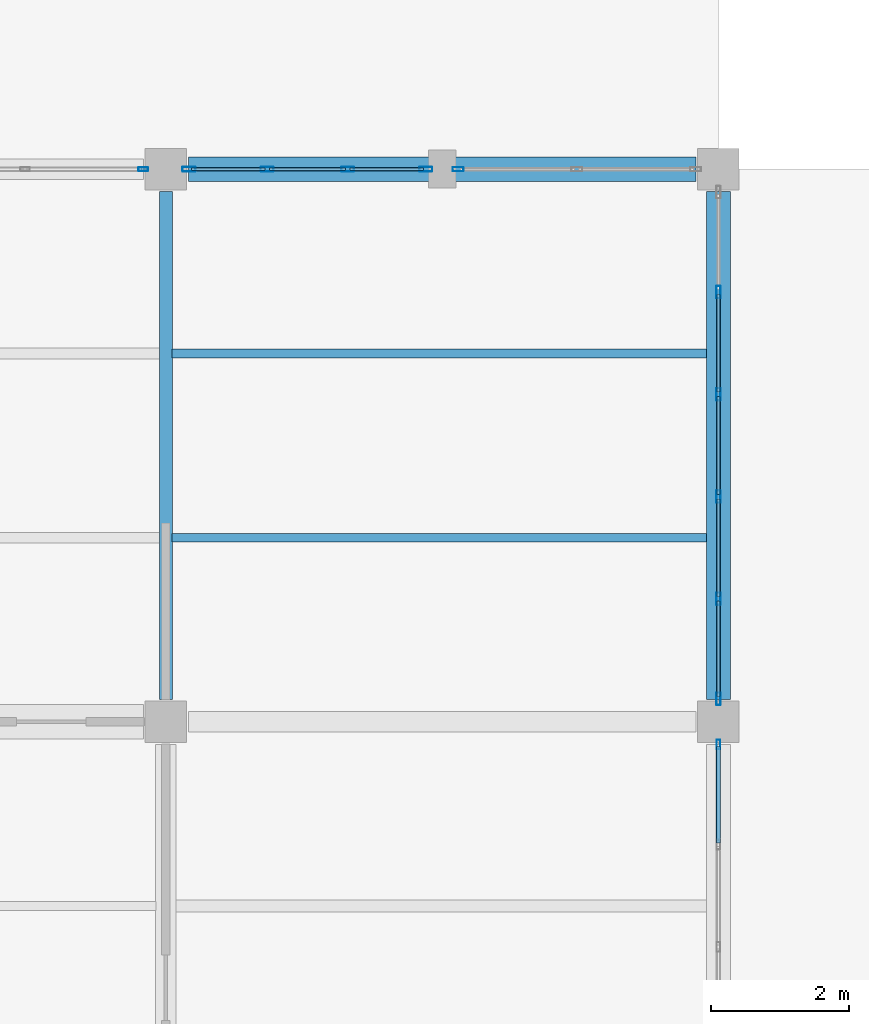
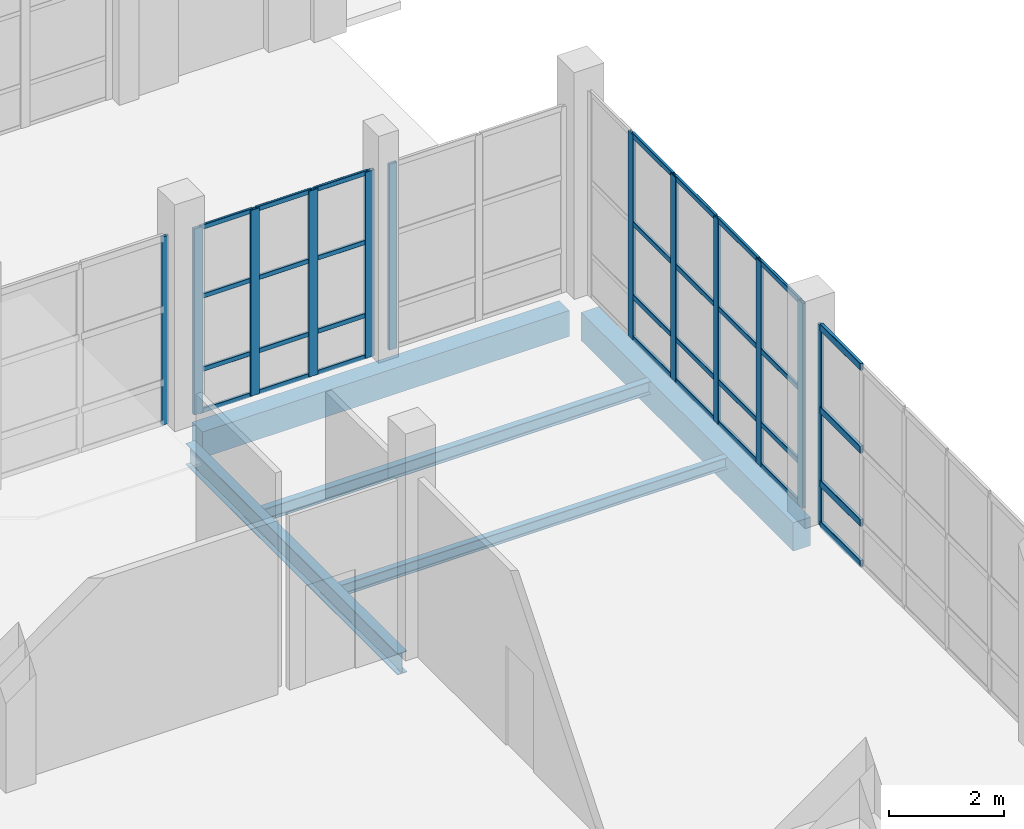
# One storey, part 71 of 156: 44 members, 5 beams, 5 elements without a shape of their own.
"""IFC4 building model written with IfcOpenShell, lengths in metres."""

from ifc_helpers import new_model, si_unit, direction, frame, origin, origin_2d, place, context, subcontext, project, spatial, rectangle, hollow_rectangle, i_section, extrude, material, material_profile, profile_set, type_object, element, aggregate, save


model = new_model("IFC4")

# Units and contexts
model_context = context("Model", 3, precision=1e-05, world=origin(), true_north=direction((0.0, 1.0)))
body_context = subcontext(model_context, "Body", "Model", "MODEL_VIEW")
ifc_project = project(units=[si_unit("LENGTHUNIT", "METRE"), si_unit("AREAUNIT", "SQUARE_METRE"), si_unit("VOLUMEUNIT", "CUBIC_METRE"), si_unit("PLANEANGLEUNIT", "RADIAN"), si_unit("MASSUNIT", "GRAM", prefix="KILO")], contexts=[model_context])

# Site, building, storey
site_placement = place(None, origin())
site = spatial("IfcSite", under=ifc_project, at=site_placement, CompositionType="ELEMENT")
building_placement = place(site_placement, origin())
building = spatial("IfcBuilding", under=site, at=building_placement, Name="Luwemba Playhouse", CompositionType="ELEMENT")
storey_placement = place(building_placement, origin())
storey = spatial("IfcBuildingStorey", under=building, at=storey_placement, Name="L00", CompositionType="ELEMENT", Elevation=0.0)

# Beams
ifc_material_1 = material(Name="Steel S355", Category="steel")
ifc_material_profile_1 = material_profile(ifc_material_1, i_section(OverallWidth=0.18994140625, OverallDepth=0.449951171875, WebThickness=0.009521484375, FlangeThickness=0.0146484375, FilletRadius=0.02099609375, at=origin_2d()))
ifc_profile_set_1 = profile_set([ifc_material_profile_1], Name="Steel S355")
beam_type_1 = type_object("IfcBeamType", Name="BM-SB06", PredefinedType="BEAM", material=ifc_profile_set_1)
beam_1_placement = place(storey_placement, frame((164.0, 19.324951171875, -0.52490234375), z_axis=(0.0, 1.0, 0.0), x_axis=(-1.0, 0.0, 0.0)))
element("IfcBeam", 1, at=beam_1_placement, inside=storey, type_object=beam_type_1, Name="L00 transverse girder 0250", PredefinedType="BEAM", context=body_context, shape_type="SweptSolid", body=[
    extrude(i_section(OverallWidth=0.18994140625, OverallDepth=0.449951171875, WebThickness=0.009521484375, FlangeThickness=0.0146484375, FilletRadius=0.02099609375, at=origin_2d()), origin(), (0.0, 0.0, 1.0), 7.35009765625),
])
ifc_material_profile_2 = material_profile(ifc_material_1, i_section(OverallWidth=0.1201171875, OverallDepth=0.239990234375, WebThickness=0.006103515625, FlangeThickness=0.009765625, FilletRadius=0.014892578125, at=origin_2d()))
ifc_profile_set_2 = profile_set([ifc_material_profile_2], Name="Steel S355")
beam_type_2 = type_object("IfcBeamType", Name="BM-SJ03", PredefinedType="JOIST", material=ifc_profile_set_2)
beam_2_placement = place(storey_placement, frame((164.091064453125, 21.666748046875, -0.419921875), z_axis=(1.0, 0.0, 0.0), x_axis=(0.0, 1.0, 0.0)))
element("IfcBeam", 2, at=beam_2_placement, inside=storey, type_object=beam_type_2, Name="L00 composite floor joist 0191", PredefinedType="JOIST", context=body_context, shape_type="SweptSolid", body=[
    extrude(i_section(OverallWidth=0.1201171875, OverallDepth=0.239990234375, WebThickness=0.006103515625, FlangeThickness=0.009765625, FilletRadius=0.014892578125, at=origin_2d()), origin(), (0.0, 0.0, 1.0), 7.738037109375),
])
ifc_material_profile_3 = material_profile(ifc_material_1, i_section(OverallWidth=0.135009765625, OverallDepth=0.27001953125, WebThickness=0.006591796875, FlangeThickness=0.01025390625, FilletRadius=0.014892578125, at=origin_2d()))
ifc_profile_set_3 = profile_set([ifc_material_profile_3], Name="Steel S355")
beam_type_3 = type_object("IfcBeamType", Name="BM-SJ04", PredefinedType="JOIST", material=ifc_profile_set_3)
beam_3_placement = place(storey_placement, frame((164.091064453125, 24.333251953125, -0.43505859375), z_axis=(1.0, 0.0, 0.0), x_axis=(0.0, 1.0, 0.0)))
element("IfcBeam", 3, at=beam_3_placement, inside=storey, type_object=beam_type_3, Name="L00 composite floor joist 0192", PredefinedType="JOIST", context=body_context, shape_type="SweptSolid", body=[
    extrude(i_section(OverallWidth=0.135009765625, OverallDepth=0.27001953125, WebThickness=0.006591796875, FlangeThickness=0.01025390625, FilletRadius=0.014892578125, at=origin_2d()), origin(), (0.0, 0.0, 1.0), 7.738037109375),
])
ifc_material_2 = material(Name="Concrete C40/50", Category="concrete")
ifc_material_profile_4 = material_profile(ifc_material_2, rectangle(XDim=0.35009765625, YDim=0.550048828125, at=origin_2d()))
ifc_profile_set_4 = profile_set([ifc_material_profile_4], Name="Concrete C40/50")
beam_type_4 = type_object("IfcBeamType", Name="BM-SP2", PredefinedType="SPANDREL", material=ifc_profile_set_4)
beam_4_placement = place(storey_placement, frame((164.324951171875, 27.0, -0.574951171875), z_axis=(1.0, 0.0, 0.0), x_axis=(0.0, 1.0, 0.0)))
element("IfcBeam", 4, at=beam_4_placement, inside=storey, type_object=beam_type_4, Name="L00 grid girder 0229", PredefinedType="SPANDREL", context=body_context, shape_type="SweptSolid", body=[
    extrude(rectangle(XDim=0.35009765625, YDim=0.550048828125, at=origin_2d()), origin(), (0.0, 0.0, 1.0), 7.35009765625),
])
ifc_material_profile_5 = material_profile(ifc_material_2, rectangle(XDim=0.35009765625, YDim=0.60009765625, at=origin_2d()))
ifc_profile_set_5 = profile_set([ifc_material_profile_5], Name="Concrete C40/50")
beam_type_5 = type_object("IfcBeamType", Name="BM-SP3", PredefinedType="SPANDREL", material=ifc_profile_set_5)
beam_5_placement = place(storey_placement, frame((172.0, 19.324951171875, -0.60009765625), z_axis=(0.0, 1.0, 0.0), x_axis=(-1.0, 0.0, 0.0)))
element("IfcBeam", 5, at=beam_5_placement, inside=storey, type_object=beam_type_5, Name="L00 transverse girder 0253", PredefinedType="SPANDREL", context=body_context, shape_type="SweptSolid", body=[
    extrude(rectangle(XDim=0.35009765625, YDim=0.60009765625, at=origin_2d()), origin(), (0.0, 0.0, 1.0), 7.35009765625),
])

# Curtain wall, member
ifc_material_3 = material(Name="Solar-control double glazing", Category="glass")
curtain_wall_type_1 = type_object("IfcCurtainWallType", Name="CW-CW57", PredefinedType="USERDEFINED", material=ifc_material_3)
curtain_wall_1_placement = place(storey_placement, origin())
curtain_wall_1 = element("IfcCurtainWall", 6, at=curtain_wall_1_placement, inside=storey, type_object=curtain_wall_type_1, Name="L00 V5E unitised curtain wall 067", ObjectType="UNITISED GLAZING", PredefinedType="USERDEFINED")
ifc_material_4 = material(Name="Aluminium 6063-T6", Category="aluminium")
ifc_material_profile_6 = material_profile(ifc_material_4, hollow_rectangle(XDim=0.06005859375, YDim=0.159912109375, WallThickness=0.00390625, InnerFilletRadius=0.006103515625, OuterFilletRadius=0.010009765625, at=origin_2d()))
ifc_profile_set_6 = profile_set([ifc_material_profile_6], Name="Aluminium 6063-T6")
member_type_1 = type_object("IfcMemberType", Name="CWM-M1", PredefinedType="MULLION", material=ifc_profile_set_6)
member_1_placement = place(storey_placement, frame((168.22998046875, 27.0, 0.0), z_axis=(0.0, 0.0, 1.0), x_axis=(0.0, 1.0, 0.0)))
member_1 = element("IfcMember", 7, at=member_1_placement, type_object=member_type_1, Name="CW57 mullion 1", PredefinedType="MULLION", context=body_context, shape_type="SweptSolid", body=[
    extrude(hollow_rectangle(XDim=0.06005859375, YDim=0.159912109375, WallThickness=0.00390625, InnerFilletRadius=0.006103515625, OuterFilletRadius=0.010009765625, at=origin_2d()), origin(), (0.0, 0.0, 1.0), 3.93505859375),
])
aggregate(curtain_wall_1, [member_1])

# Curtain wall, members
curtain_wall_type_2 = type_object("IfcCurtainWallType", Name="CW-CW58", PredefinedType="USERDEFINED", material=ifc_material_3)
curtain_wall_2_placement = place(storey_placement, origin())
curtain_wall_2 = element("IfcCurtainWall", 8, at=curtain_wall_2_placement, inside=storey, type_object=curtain_wall_type_2, Name="L00 V5E unitised curtain wall 068", ObjectType="UNITISED GLAZING", PredefinedType="USERDEFINED")
ifc_material_profile_7 = material_profile(ifc_material_4, hollow_rectangle(XDim=0.06494140625, YDim=0.179931640625, WallThickness=0.00439453125, InnerFilletRadius=0.0068359375, OuterFilletRadius=0.01123046875, at=origin_2d()))
ifc_profile_set_7 = profile_set([ifc_material_profile_7], Name="Aluminium 6063-T6")
member_type_2 = type_object("IfcMemberType", Name="CWM-M2", PredefinedType="MULLION", material=ifc_profile_set_7)
member_2_placement = place(storey_placement, frame((172.0, 25.219970703125, 0.0), z_axis=(0.0, 0.0, 1.0), x_axis=(1.0, 0.0, 0.0)))
member_2 = element("IfcMember", 9, at=member_2_placement, type_object=member_type_2, Name="CW58 mullion 2", PredefinedType="MULLION", context=body_context, shape_type="SweptSolid", body=[
    extrude(hollow_rectangle(XDim=0.06494140625, YDim=0.179931640625, WallThickness=0.00439453125, InnerFilletRadius=0.0068359375, OuterFilletRadius=0.01123046875, at=origin_2d()), origin(), (0.0, 0.0, 1.0), 4.3349609375),
])
member_3_placement = place(storey_placement, frame((172.0, 23.739990234375, 0.0), z_axis=(0.0, 0.0, 1.0), x_axis=(1.0, 0.0, 0.0)))
member_3 = element("IfcMember", 10, at=member_3_placement, type_object=member_type_2, Name="CW58 mullion 3", PredefinedType="MULLION", context=body_context, shape_type="SweptSolid", body=[
    extrude(hollow_rectangle(XDim=0.06494140625, YDim=0.179931640625, WallThickness=0.00439453125, InnerFilletRadius=0.0068359375, OuterFilletRadius=0.01123046875, at=origin_2d()), origin(), (0.0, 0.0, 1.0), 4.3349609375),
])
member_4_placement = place(storey_placement, frame((172.0, 22.260009765625, 0.0), z_axis=(0.0, 0.0, 1.0), x_axis=(1.0, 0.0, 0.0)))
member_4 = element("IfcMember", 11, at=member_4_placement, type_object=member_type_2, Name="CW58 mullion 4", PredefinedType="MULLION", context=body_context, shape_type="SweptSolid", body=[
    extrude(hollow_rectangle(XDim=0.06494140625, YDim=0.179931640625, WallThickness=0.00439453125, InnerFilletRadius=0.0068359375, OuterFilletRadius=0.01123046875, at=origin_2d()), origin(), (0.0, 0.0, 1.0), 4.3349609375),
])
member_5_placement = place(storey_placement, frame((172.0, 20.780029296875, 0.0), z_axis=(0.0, 0.0, 1.0), x_axis=(1.0, 0.0, 0.0)))
member_5 = element("IfcMember", 12, at=member_5_placement, type_object=member_type_2, Name="CW58 mullion 5", PredefinedType="MULLION", context=body_context, shape_type="SweptSolid", body=[
    extrude(hollow_rectangle(XDim=0.06494140625, YDim=0.179931640625, WallThickness=0.00439453125, InnerFilletRadius=0.0068359375, OuterFilletRadius=0.01123046875, at=origin_2d()), origin(), (0.0, 0.0, 1.0), 4.3349609375),
])
member_6_placement = place(storey_placement, frame((172.0, 19.33251953125, 0.0), z_axis=(0.0, 0.0, 1.0), x_axis=(1.0, 0.0, 0.0)))
member_6 = element("IfcMember", 13, at=member_6_placement, type_object=member_type_2, Name="CW58 mullion 6", PredefinedType="MULLION", context=body_context, shape_type="SweptSolid", body=[
    extrude(hollow_rectangle(XDim=0.06494140625, YDim=0.179931640625, WallThickness=0.00439453125, InnerFilletRadius=0.0068359375, OuterFilletRadius=0.01123046875, at=origin_2d()), origin(), (0.0, 0.0, 1.0), 4.3349609375),
])

# Curtain wall, member
curtain_wall_type_3 = type_object("IfcCurtainWallType", Name="CW-CW55", PredefinedType="USERDEFINED", material=ifc_material_3)
curtain_wall_3_placement = place(storey_placement, origin())
curtain_wall_3 = element("IfcCurtainWall", 14, at=curtain_wall_3_placement, inside=storey, type_object=curtain_wall_type_3, Name="L00 V5E unitised curtain wall 065", ObjectType="UNITISED GLAZING", PredefinedType="USERDEFINED")
ifc_material_profile_8 = material_profile(ifc_material_4, hollow_rectangle(XDim=0.054931640625, YDim=0.139892578125, WallThickness=0.00390625, InnerFilletRadius=0.006103515625, OuterFilletRadius=0.010009765625, at=origin_2d()))
ifc_profile_set_8 = profile_set([ifc_material_profile_8], Name="Aluminium 6063-T6")
member_type_3 = type_object("IfcMemberType", Name="CWM-M3", PredefinedType="MULLION", material=ifc_profile_set_8)
member_7_placement = place(storey_placement, frame((163.672607421875, 27.0, 0.0), z_axis=(0.0, 0.0, 1.0), x_axis=(0.0, 1.0, 0.0)))
member_7 = element("IfcMember", 15, at=member_7_placement, type_object=member_type_3, Name="CW55 mullion 3", PredefinedType="MULLION", context=body_context, shape_type="SweptSolid", body=[
    extrude(hollow_rectangle(XDim=0.054931640625, YDim=0.139892578125, WallThickness=0.00390625, InnerFilletRadius=0.006103515625, OuterFilletRadius=0.010009765625, at=origin_2d()), origin(), (0.0, 0.0, 1.0), 3.985107421875),
])
aggregate(curtain_wall_3, [member_7])

curtain_wall_type_4 = type_object("IfcCurtainWallType", Name="CW-CW59", PredefinedType="USERDEFINED", material=ifc_material_3)
curtain_wall_4_placement = place(storey_placement, origin())
curtain_wall_4 = element("IfcCurtainWall", 16, at=curtain_wall_4_placement, inside=storey, type_object=curtain_wall_type_4, Name="L00 V5E unitised curtain wall 069", ObjectType="UNITISED GLAZING", PredefinedType="USERDEFINED")
member_8_placement = place(storey_placement, frame((172.0, 18.672607421875, 0.0), z_axis=(0.0, 0.0, 1.0), x_axis=(1.0, 0.0, 0.0)))
member_8 = element("IfcMember", 17, at=member_8_placement, type_object=member_type_3, Name="CW59 mullion 1", PredefinedType="MULLION", context=body_context, shape_type="SweptSolid", body=[
    extrude(hollow_rectangle(XDim=0.054931640625, YDim=0.139892578125, WallThickness=0.00390625, InnerFilletRadius=0.006103515625, OuterFilletRadius=0.010009765625, at=origin_2d()), origin(), (0.0, 0.0, 1.0), 4.235107421875),
])

# Curtain wall, members
curtain_wall_type_5 = type_object("IfcCurtainWallType", Name="CW-CW56", PredefinedType="USERDEFINED", material=ifc_material_3)
curtain_wall_5_placement = place(storey_placement, origin())
curtain_wall_5 = element("IfcCurtainWall", 18, at=curtain_wall_5_placement, inside=storey, type_object=curtain_wall_type_5, Name="L00 V5E unitised curtain wall 066", ObjectType="UNITISED GLAZING", PredefinedType="USERDEFINED")
ifc_material_profile_9 = material_profile(ifc_material_4, hollow_rectangle(XDim=0.070068359375, YDim=0.18994140625, WallThickness=0.0048828125, InnerFilletRadius=0.007568359375, OuterFilletRadius=0.012451171875, at=origin_2d()))
ifc_profile_set_9 = profile_set([ifc_material_profile_9], Name="Aluminium 6063-T6")
member_type_4 = type_object("IfcMemberType", Name="CWM-M4", PredefinedType="MULLION", material=ifc_profile_set_9)
member_9_placement = place(storey_placement, frame((164.3349609375, 27.0, 0.0), z_axis=(0.0, 0.0, 1.0), x_axis=(0.0, 1.0, 0.0)))
member_9 = element("IfcMember", 19, at=member_9_placement, type_object=member_type_4, Name="CW56 mullion 1", PredefinedType="MULLION", context=body_context, shape_type="SweptSolid", body=[
    extrude(hollow_rectangle(XDim=0.070068359375, YDim=0.18994140625, WallThickness=0.0048828125, InnerFilletRadius=0.007568359375, OuterFilletRadius=0.012451171875, at=origin_2d()), origin(), (0.0, 0.0, 1.0), 3.93505859375),
])
member_10_placement = place(storey_placement, frame((165.466552734375, 27.0, 0.0), z_axis=(0.0, 0.0, 1.0), x_axis=(0.0, 1.0, 0.0)))
member_10 = element("IfcMember", 20, at=member_10_placement, type_object=member_type_4, Name="CW56 mullion 2", PredefinedType="MULLION", context=body_context, shape_type="SweptSolid", body=[
    extrude(hollow_rectangle(XDim=0.070068359375, YDim=0.18994140625, WallThickness=0.0048828125, InnerFilletRadius=0.007568359375, OuterFilletRadius=0.012451171875, at=origin_2d()), origin(), (0.0, 0.0, 1.0), 3.93505859375),
])
member_11_placement = place(storey_placement, frame((166.63330078125, 27.0, 0.0), z_axis=(0.0, 0.0, 1.0), x_axis=(0.0, 1.0, 0.0)))
member_11 = element("IfcMember", 21, at=member_11_placement, type_object=member_type_4, Name="CW56 mullion 3", PredefinedType="MULLION", context=body_context, shape_type="SweptSolid", body=[
    extrude(hollow_rectangle(XDim=0.070068359375, YDim=0.18994140625, WallThickness=0.0048828125, InnerFilletRadius=0.007568359375, OuterFilletRadius=0.012451171875, at=origin_2d()), origin(), (0.0, 0.0, 1.0), 3.93505859375),
])
member_12_placement = place(storey_placement, frame((167.764892578125, 27.0, 0.0), z_axis=(0.0, 0.0, 1.0), x_axis=(0.0, 1.0, 0.0)))
member_12 = element("IfcMember", 22, at=member_12_placement, type_object=member_type_4, Name="CW56 mullion 4", PredefinedType="MULLION", context=body_context, shape_type="SweptSolid", body=[
    extrude(hollow_rectangle(XDim=0.070068359375, YDim=0.18994140625, WallThickness=0.0048828125, InnerFilletRadius=0.007568359375, OuterFilletRadius=0.012451171875, at=origin_2d()), origin(), (0.0, 0.0, 1.0), 3.93505859375),
])

# Member
ifc_material_profile_10 = material_profile(ifc_material_4, hollow_rectangle(XDim=0.054931640625, YDim=0.110107421875, WallThickness=0.00341796875, InnerFilletRadius=0.00537109375, OuterFilletRadius=0.0087890625, at=origin_2d()))
ifc_profile_set_10 = profile_set([ifc_material_profile_10], Name="Aluminium 6063-T6")
member_type_5 = type_object("IfcMemberType", Name="CWT-T2", PredefinedType="USERDEFINED", material=ifc_profile_set_10)
member_13_placement = place(storey_placement, frame((172.0, 25.1875, 0.027587890625), z_axis=(0.0, -1.0, 0.0), x_axis=(1.0, 0.0, 0.0)))
member_13 = element("IfcMember", 23, at=member_13_placement, type_object=member_type_5, Name="CW58 transom 2.1", ObjectType="TRANSOM", PredefinedType="USERDEFINED", context=body_context, shape_type="SweptSolid", body=[
    extrude(hollow_rectangle(XDim=0.054931640625, YDim=0.110107421875, WallThickness=0.00341796875, InnerFilletRadius=0.00537109375, OuterFilletRadius=0.0087890625, at=origin_2d()), origin(), (0.0, 0.0, 1.0), 1.4150390625),
])

member_14_placement = place(storey_placement, frame((172.0, 25.1875, 0.89990234375), z_axis=(0.0, -1.0, 0.0), x_axis=(1.0, 0.0, 0.0)))
member_14 = element("IfcMember", 24, at=member_14_placement, type_object=member_type_5, Name="CW58 transom 2.2", ObjectType="TRANSOM", PredefinedType="USERDEFINED", context=body_context, shape_type="SweptSolid", body=[
    extrude(hollow_rectangle(XDim=0.054931640625, YDim=0.110107421875, WallThickness=0.00341796875, InnerFilletRadius=0.00537109375, OuterFilletRadius=0.0087890625, at=origin_2d()), origin(), (0.0, 0.0, 1.0), 1.4150390625),
])

member_15_placement = place(storey_placement, frame((172.0, 25.1875, 2.449951171875), z_axis=(0.0, -1.0, 0.0), x_axis=(1.0, 0.0, 0.0)))
member_15 = element("IfcMember", 25, at=member_15_placement, type_object=member_type_5, Name="CW58 transom 2.3", ObjectType="TRANSOM", PredefinedType="USERDEFINED", context=body_context, shape_type="SweptSolid", body=[
    extrude(hollow_rectangle(XDim=0.054931640625, YDim=0.110107421875, WallThickness=0.00341796875, InnerFilletRadius=0.00537109375, OuterFilletRadius=0.0087890625, at=origin_2d()), origin(), (0.0, 0.0, 1.0), 1.4150390625),
])

member_16_placement = place(storey_placement, frame((172.0, 25.1875, 4.3076171875), z_axis=(0.0, -1.0, 0.0), x_axis=(1.0, 0.0, 0.0)))
member_16 = element("IfcMember", 26, at=member_16_placement, type_object=member_type_5, Name="CW58 transom 2.4", ObjectType="TRANSOM", PredefinedType="USERDEFINED", context=body_context, shape_type="SweptSolid", body=[
    extrude(hollow_rectangle(XDim=0.054931640625, YDim=0.110107421875, WallThickness=0.00341796875, InnerFilletRadius=0.00537109375, OuterFilletRadius=0.0087890625, at=origin_2d()), origin(), (0.0, 0.0, 1.0), 1.4150390625),
])

member_17_placement = place(storey_placement, frame((172.0, 23.70751953125, 0.027587890625), z_axis=(0.0, -1.0, 0.0), x_axis=(1.0, 0.0, 0.0)))
member_17 = element("IfcMember", 27, at=member_17_placement, type_object=member_type_5, Name="CW58 transom 3.1", ObjectType="TRANSOM", PredefinedType="USERDEFINED", context=body_context, shape_type="SweptSolid", body=[
    extrude(hollow_rectangle(XDim=0.054931640625, YDim=0.110107421875, WallThickness=0.00341796875, InnerFilletRadius=0.00537109375, OuterFilletRadius=0.0087890625, at=origin_2d()), origin(), (0.0, 0.0, 1.0), 1.4150390625),
])

member_18_placement = place(storey_placement, frame((172.0, 23.70751953125, 0.89990234375), z_axis=(0.0, -1.0, 0.0), x_axis=(1.0, 0.0, 0.0)))
member_18 = element("IfcMember", 28, at=member_18_placement, type_object=member_type_5, Name="CW58 transom 3.2", ObjectType="TRANSOM", PredefinedType="USERDEFINED", context=body_context, shape_type="SweptSolid", body=[
    extrude(hollow_rectangle(XDim=0.054931640625, YDim=0.110107421875, WallThickness=0.00341796875, InnerFilletRadius=0.00537109375, OuterFilletRadius=0.0087890625, at=origin_2d()), origin(), (0.0, 0.0, 1.0), 1.4150390625),
])

member_19_placement = place(storey_placement, frame((172.0, 23.70751953125, 2.449951171875), z_axis=(0.0, -1.0, 0.0), x_axis=(1.0, 0.0, 0.0)))
member_19 = element("IfcMember", 29, at=member_19_placement, type_object=member_type_5, Name="CW58 transom 3.3", ObjectType="TRANSOM", PredefinedType="USERDEFINED", context=body_context, shape_type="SweptSolid", body=[
    extrude(hollow_rectangle(XDim=0.054931640625, YDim=0.110107421875, WallThickness=0.00341796875, InnerFilletRadius=0.00537109375, OuterFilletRadius=0.0087890625, at=origin_2d()), origin(), (0.0, 0.0, 1.0), 1.4150390625),
])

member_20_placement = place(storey_placement, frame((172.0, 23.70751953125, 4.3076171875), z_axis=(0.0, -1.0, 0.0), x_axis=(1.0, 0.0, 0.0)))
member_20 = element("IfcMember", 30, at=member_20_placement, type_object=member_type_5, Name="CW58 transom 3.4", ObjectType="TRANSOM", PredefinedType="USERDEFINED", context=body_context, shape_type="SweptSolid", body=[
    extrude(hollow_rectangle(XDim=0.054931640625, YDim=0.110107421875, WallThickness=0.00341796875, InnerFilletRadius=0.00537109375, OuterFilletRadius=0.0087890625, at=origin_2d()), origin(), (0.0, 0.0, 1.0), 1.4150390625),
])

member_21_placement = place(storey_placement, frame((172.0, 22.2275390625, 0.027587890625), z_axis=(0.0, -1.0, 0.0), x_axis=(1.0, 0.0, 0.0)))
member_21 = element("IfcMember", 31, at=member_21_placement, type_object=member_type_5, Name="CW58 transom 4.1", ObjectType="TRANSOM", PredefinedType="USERDEFINED", context=body_context, shape_type="SweptSolid", body=[
    extrude(hollow_rectangle(XDim=0.054931640625, YDim=0.110107421875, WallThickness=0.00341796875, InnerFilletRadius=0.00537109375, OuterFilletRadius=0.0087890625, at=origin_2d()), origin(), (0.0, 0.0, 1.0), 1.4150390625),
])

member_22_placement = place(storey_placement, frame((172.0, 22.2275390625, 0.89990234375), z_axis=(0.0, -1.0, 0.0), x_axis=(1.0, 0.0, 0.0)))
member_22 = element("IfcMember", 32, at=member_22_placement, type_object=member_type_5, Name="CW58 transom 4.2", ObjectType="TRANSOM", PredefinedType="USERDEFINED", context=body_context, shape_type="SweptSolid", body=[
    extrude(hollow_rectangle(XDim=0.054931640625, YDim=0.110107421875, WallThickness=0.00341796875, InnerFilletRadius=0.00537109375, OuterFilletRadius=0.0087890625, at=origin_2d()), origin(), (0.0, 0.0, 1.0), 1.4150390625),
])

member_23_placement = place(storey_placement, frame((172.0, 22.2275390625, 2.449951171875), z_axis=(0.0, -1.0, 0.0), x_axis=(1.0, 0.0, 0.0)))
member_23 = element("IfcMember", 33, at=member_23_placement, type_object=member_type_5, Name="CW58 transom 4.3", ObjectType="TRANSOM", PredefinedType="USERDEFINED", context=body_context, shape_type="SweptSolid", body=[
    extrude(hollow_rectangle(XDim=0.054931640625, YDim=0.110107421875, WallThickness=0.00341796875, InnerFilletRadius=0.00537109375, OuterFilletRadius=0.0087890625, at=origin_2d()), origin(), (0.0, 0.0, 1.0), 1.4150390625),
])

member_24_placement = place(storey_placement, frame((172.0, 22.2275390625, 4.3076171875), z_axis=(0.0, -1.0, 0.0), x_axis=(1.0, 0.0, 0.0)))
member_24 = element("IfcMember", 34, at=member_24_placement, type_object=member_type_5, Name="CW58 transom 4.4", ObjectType="TRANSOM", PredefinedType="USERDEFINED", context=body_context, shape_type="SweptSolid", body=[
    extrude(hollow_rectangle(XDim=0.054931640625, YDim=0.110107421875, WallThickness=0.00341796875, InnerFilletRadius=0.00537109375, OuterFilletRadius=0.0087890625, at=origin_2d()), origin(), (0.0, 0.0, 1.0), 1.4150390625),
])

member_25_placement = place(storey_placement, frame((172.0, 20.74755859375, 0.027587890625), z_axis=(0.0, -1.0, 0.0), x_axis=(1.0, 0.0, 0.0)))
member_25 = element("IfcMember", 35, at=member_25_placement, type_object=member_type_5, Name="CW58 transom 5.1", ObjectType="TRANSOM", PredefinedType="USERDEFINED", context=body_context, shape_type="SweptSolid", body=[
    extrude(hollow_rectangle(XDim=0.054931640625, YDim=0.110107421875, WallThickness=0.00341796875, InnerFilletRadius=0.00537109375, OuterFilletRadius=0.0087890625, at=origin_2d()), origin(), (0.0, 0.0, 1.0), 1.382568359375),
])

member_26_placement = place(storey_placement, frame((172.0, 20.74755859375, 0.89990234375), z_axis=(0.0, -1.0, 0.0), x_axis=(1.0, 0.0, 0.0)))
member_26 = element("IfcMember", 36, at=member_26_placement, type_object=member_type_5, Name="CW58 transom 5.2", ObjectType="TRANSOM", PredefinedType="USERDEFINED", context=body_context, shape_type="SweptSolid", body=[
    extrude(hollow_rectangle(XDim=0.054931640625, YDim=0.110107421875, WallThickness=0.00341796875, InnerFilletRadius=0.00537109375, OuterFilletRadius=0.0087890625, at=origin_2d()), origin(), (0.0, 0.0, 1.0), 1.382568359375),
])

member_27_placement = place(storey_placement, frame((172.0, 20.74755859375, 2.449951171875), z_axis=(0.0, -1.0, 0.0), x_axis=(1.0, 0.0, 0.0)))
member_27 = element("IfcMember", 37, at=member_27_placement, type_object=member_type_5, Name="CW58 transom 5.3", ObjectType="TRANSOM", PredefinedType="USERDEFINED", context=body_context, shape_type="SweptSolid", body=[
    extrude(hollow_rectangle(XDim=0.054931640625, YDim=0.110107421875, WallThickness=0.00341796875, InnerFilletRadius=0.00537109375, OuterFilletRadius=0.0087890625, at=origin_2d()), origin(), (0.0, 0.0, 1.0), 1.382568359375),
])

member_28_placement = place(storey_placement, frame((172.0, 20.74755859375, 4.3076171875), z_axis=(0.0, -1.0, 0.0), x_axis=(1.0, 0.0, 0.0)))
member_28 = element("IfcMember", 38, at=member_28_placement, type_object=member_type_5, Name="CW58 transom 5.4", ObjectType="TRANSOM", PredefinedType="USERDEFINED", context=body_context, shape_type="SweptSolid", body=[
    extrude(hollow_rectangle(XDim=0.054931640625, YDim=0.110107421875, WallThickness=0.00341796875, InnerFilletRadius=0.00537109375, OuterFilletRadius=0.0087890625, at=origin_2d()), origin(), (0.0, 0.0, 1.0), 1.382568359375),
])

aggregate(curtain_wall_2, [member_2, member_3, member_4, member_5, member_6, member_13, member_14, member_15, member_16, member_17, member_18, member_19, member_20, member_21, member_22, member_23, member_24, member_25, member_26, member_27, member_28])

ifc_material_profile_11 = material_profile(ifc_material_4, hollow_rectangle(XDim=0.06494140625, YDim=0.14990234375, WallThickness=0.00390625, InnerFilletRadius=0.006103515625, OuterFilletRadius=0.010009765625, at=origin_2d()))
ifc_profile_set_11 = profile_set([ifc_material_profile_11], Name="Aluminium 6063-T6")
member_type_6 = type_object("IfcMemberType", Name="CWT-T3", PredefinedType="USERDEFINED", material=ifc_profile_set_11)
member_29_placement = place(storey_placement, frame((172.0, 18.64501953125, 0.032470703125), z_axis=(0.0, -1.0, 0.0), x_axis=(1.0, 0.0, 0.0)))
member_29 = element("IfcMember", 39, at=member_29_placement, type_object=member_type_6, Name="CW59 transom 1.1", ObjectType="TRANSOM", PredefinedType="USERDEFINED", context=body_context, shape_type="SweptSolid", body=[
    extrude(hollow_rectangle(XDim=0.06494140625, YDim=0.14990234375, WallThickness=0.00390625, InnerFilletRadius=0.006103515625, OuterFilletRadius=0.010009765625, at=origin_2d()), origin(), (0.0, 0.0, 1.0), 1.3974609375),
])

member_30_placement = place(storey_placement, frame((172.0, 18.64501953125, 0.89990234375), z_axis=(0.0, -1.0, 0.0), x_axis=(1.0, 0.0, 0.0)))
member_30 = element("IfcMember", 40, at=member_30_placement, type_object=member_type_6, Name="CW59 transom 1.2", ObjectType="TRANSOM", PredefinedType="USERDEFINED", context=body_context, shape_type="SweptSolid", body=[
    extrude(hollow_rectangle(XDim=0.06494140625, YDim=0.14990234375, WallThickness=0.00390625, InnerFilletRadius=0.006103515625, OuterFilletRadius=0.010009765625, at=origin_2d()), origin(), (0.0, 0.0, 1.0), 1.3974609375),
])

member_31_placement = place(storey_placement, frame((172.0, 18.64501953125, 2.449951171875), z_axis=(0.0, -1.0, 0.0), x_axis=(1.0, 0.0, 0.0)))
member_31 = element("IfcMember", 41, at=member_31_placement, type_object=member_type_6, Name="CW59 transom 1.3", ObjectType="TRANSOM", PredefinedType="USERDEFINED", context=body_context, shape_type="SweptSolid", body=[
    extrude(hollow_rectangle(XDim=0.06494140625, YDim=0.14990234375, WallThickness=0.00390625, InnerFilletRadius=0.006103515625, OuterFilletRadius=0.010009765625, at=origin_2d()), origin(), (0.0, 0.0, 1.0), 1.3974609375),
])

member_32_placement = place(storey_placement, frame((172.0, 18.64501953125, 4.202392578125), z_axis=(0.0, -1.0, 0.0), x_axis=(1.0, 0.0, 0.0)))
member_32 = element("IfcMember", 42, at=member_32_placement, type_object=member_type_6, Name="CW59 transom 1.4", ObjectType="TRANSOM", PredefinedType="USERDEFINED", context=body_context, shape_type="SweptSolid", body=[
    extrude(hollow_rectangle(XDim=0.06494140625, YDim=0.14990234375, WallThickness=0.00390625, InnerFilletRadius=0.006103515625, OuterFilletRadius=0.010009765625, at=origin_2d()), origin(), (0.0, 0.0, 1.0), 1.3974609375),
])

aggregate(curtain_wall_4, [member_8, member_29, member_30, member_31, member_32])

ifc_material_profile_12 = material_profile(ifc_material_4, hollow_rectangle(XDim=0.050048828125, YDim=0.10009765625, WallThickness=0.00341796875, InnerFilletRadius=0.00537109375, OuterFilletRadius=0.0087890625, at=origin_2d()))
ifc_profile_set_12 = profile_set([ifc_material_profile_12], Name="Aluminium 6063-T6")
member_type_7 = type_object("IfcMemberType", Name="CWT-T4", PredefinedType="USERDEFINED", material=ifc_profile_set_12)
member_33_placement = place(storey_placement, frame((164.3701171875, 27.0, 0.02490234375), z_axis=(1.0, 0.0, 0.0), x_axis=(0.0, 1.0, 0.0)))
member_33 = element("IfcMember", 43, at=member_33_placement, type_object=member_type_7, Name="CW56 transom 1.1", ObjectType="TRANSOM", PredefinedType="USERDEFINED", context=body_context, shape_type="SweptSolid", body=[
    extrude(hollow_rectangle(XDim=0.050048828125, YDim=0.10009765625, WallThickness=0.00341796875, InnerFilletRadius=0.00537109375, OuterFilletRadius=0.0087890625, at=origin_2d()), origin(), (0.0, 0.0, 1.0), 1.0615234375),
])

member_34_placement = place(storey_placement, frame((164.3701171875, 27.0, 0.89990234375), z_axis=(1.0, 0.0, 0.0), x_axis=(0.0, 1.0, 0.0)))
member_34 = element("IfcMember", 44, at=member_34_placement, type_object=member_type_7, Name="CW56 transom 1.2", ObjectType="TRANSOM", PredefinedType="USERDEFINED", context=body_context, shape_type="SweptSolid", body=[
    extrude(hollow_rectangle(XDim=0.050048828125, YDim=0.10009765625, WallThickness=0.00341796875, InnerFilletRadius=0.00537109375, OuterFilletRadius=0.0087890625, at=origin_2d()), origin(), (0.0, 0.0, 1.0), 1.0615234375),
])

member_35_placement = place(storey_placement, frame((164.3701171875, 27.0, 2.449951171875), z_axis=(1.0, 0.0, 0.0), x_axis=(0.0, 1.0, 0.0)))
member_35 = element("IfcMember", 45, at=member_35_placement, type_object=member_type_7, Name="CW56 transom 1.3", ObjectType="TRANSOM", PredefinedType="USERDEFINED", context=body_context, shape_type="SweptSolid", body=[
    extrude(hollow_rectangle(XDim=0.050048828125, YDim=0.10009765625, WallThickness=0.00341796875, InnerFilletRadius=0.00537109375, OuterFilletRadius=0.0087890625, at=origin_2d()), origin(), (0.0, 0.0, 1.0), 1.0615234375),
])

member_36_placement = place(storey_placement, frame((164.3701171875, 27.0, 3.909912109375), z_axis=(1.0, 0.0, 0.0), x_axis=(0.0, 1.0, 0.0)))
member_36 = element("IfcMember", 46, at=member_36_placement, type_object=member_type_7, Name="CW56 transom 1.4", ObjectType="TRANSOM", PredefinedType="USERDEFINED", context=body_context, shape_type="SweptSolid", body=[
    extrude(hollow_rectangle(XDim=0.050048828125, YDim=0.10009765625, WallThickness=0.00341796875, InnerFilletRadius=0.00537109375, OuterFilletRadius=0.0087890625, at=origin_2d()), origin(), (0.0, 0.0, 1.0), 1.0615234375),
])

member_37_placement = place(storey_placement, frame((165.501708984375, 27.0, 0.02490234375), z_axis=(1.0, 0.0, 0.0), x_axis=(0.0, 1.0, 0.0)))
member_37 = element("IfcMember", 47, at=member_37_placement, type_object=member_type_7, Name="CW56 transom 2.1", ObjectType="TRANSOM", PredefinedType="USERDEFINED", context=body_context, shape_type="SweptSolid", body=[
    extrude(hollow_rectangle(XDim=0.050048828125, YDim=0.10009765625, WallThickness=0.00341796875, InnerFilletRadius=0.00537109375, OuterFilletRadius=0.0087890625, at=origin_2d()), origin(), (0.0, 0.0, 1.0), 1.0966796875),
])

member_38_placement = place(storey_placement, frame((165.501708984375, 27.0, 0.89990234375), z_axis=(1.0, 0.0, 0.0), x_axis=(0.0, 1.0, 0.0)))
member_38 = element("IfcMember", 48, at=member_38_placement, type_object=member_type_7, Name="CW56 transom 2.2", ObjectType="TRANSOM", PredefinedType="USERDEFINED", context=body_context, shape_type="SweptSolid", body=[
    extrude(hollow_rectangle(XDim=0.050048828125, YDim=0.10009765625, WallThickness=0.00341796875, InnerFilletRadius=0.00537109375, OuterFilletRadius=0.0087890625, at=origin_2d()), origin(), (0.0, 0.0, 1.0), 1.0966796875),
])

member_39_placement = place(storey_placement, frame((165.501708984375, 27.0, 2.449951171875), z_axis=(1.0, 0.0, 0.0), x_axis=(0.0, 1.0, 0.0)))
member_39 = element("IfcMember", 49, at=member_39_placement, type_object=member_type_7, Name="CW56 transom 2.3", ObjectType="TRANSOM", PredefinedType="USERDEFINED", context=body_context, shape_type="SweptSolid", body=[
    extrude(hollow_rectangle(XDim=0.050048828125, YDim=0.10009765625, WallThickness=0.00341796875, InnerFilletRadius=0.00537109375, OuterFilletRadius=0.0087890625, at=origin_2d()), origin(), (0.0, 0.0, 1.0), 1.0966796875),
])

member_40_placement = place(storey_placement, frame((165.501708984375, 27.0, 3.909912109375), z_axis=(1.0, 0.0, 0.0), x_axis=(0.0, 1.0, 0.0)))
member_40 = element("IfcMember", 50, at=member_40_placement, type_object=member_type_7, Name="CW56 transom 2.4", ObjectType="TRANSOM", PredefinedType="USERDEFINED", context=body_context, shape_type="SweptSolid", body=[
    extrude(hollow_rectangle(XDim=0.050048828125, YDim=0.10009765625, WallThickness=0.00341796875, InnerFilletRadius=0.00537109375, OuterFilletRadius=0.0087890625, at=origin_2d()), origin(), (0.0, 0.0, 1.0), 1.0966796875),
])

member_41_placement = place(storey_placement, frame((166.668212890625, 27.0, 0.02490234375), z_axis=(1.0, 0.0, 0.0), x_axis=(0.0, 1.0, 0.0)))
member_41 = element("IfcMember", 51, at=member_41_placement, type_object=member_type_7, Name="CW56 transom 3.1", ObjectType="TRANSOM", PredefinedType="USERDEFINED", context=body_context, shape_type="SweptSolid", body=[
    extrude(hollow_rectangle(XDim=0.050048828125, YDim=0.10009765625, WallThickness=0.00341796875, InnerFilletRadius=0.00537109375, OuterFilletRadius=0.0087890625, at=origin_2d()), origin(), (0.0, 0.0, 1.0), 1.061767578125),
])

member_42_placement = place(storey_placement, frame((166.668212890625, 27.0, 0.89990234375), z_axis=(1.0, 0.0, 0.0), x_axis=(0.0, 1.0, 0.0)))
member_42 = element("IfcMember", 52, at=member_42_placement, type_object=member_type_7, Name="CW56 transom 3.2", ObjectType="TRANSOM", PredefinedType="USERDEFINED", context=body_context, shape_type="SweptSolid", body=[
    extrude(hollow_rectangle(XDim=0.050048828125, YDim=0.10009765625, WallThickness=0.00341796875, InnerFilletRadius=0.00537109375, OuterFilletRadius=0.0087890625, at=origin_2d()), origin(), (0.0, 0.0, 1.0), 1.061767578125),
])

member_43_placement = place(storey_placement, frame((166.668212890625, 27.0, 2.449951171875), z_axis=(1.0, 0.0, 0.0), x_axis=(0.0, 1.0, 0.0)))
member_43 = element("IfcMember", 53, at=member_43_placement, type_object=member_type_7, Name="CW56 transom 3.3", ObjectType="TRANSOM", PredefinedType="USERDEFINED", context=body_context, shape_type="SweptSolid", body=[
    extrude(hollow_rectangle(XDim=0.050048828125, YDim=0.10009765625, WallThickness=0.00341796875, InnerFilletRadius=0.00537109375, OuterFilletRadius=0.0087890625, at=origin_2d()), origin(), (0.0, 0.0, 1.0), 1.061767578125),
])

member_44_placement = place(storey_placement, frame((166.668212890625, 27.0, 3.909912109375), z_axis=(1.0, 0.0, 0.0), x_axis=(0.0, 1.0, 0.0)))
member_44 = element("IfcMember", 54, at=member_44_placement, type_object=member_type_7, Name="CW56 transom 3.4", ObjectType="TRANSOM", PredefinedType="USERDEFINED", context=body_context, shape_type="SweptSolid", body=[
    extrude(hollow_rectangle(XDim=0.050048828125, YDim=0.10009765625, WallThickness=0.00341796875, InnerFilletRadius=0.00537109375, OuterFilletRadius=0.0087890625, at=origin_2d()), origin(), (0.0, 0.0, 1.0), 1.061767578125),
])

aggregate(curtain_wall_5, [member_9, member_10, member_11, member_12, member_33, member_34, member_35, member_36, member_37, member_38, member_39, member_40, member_41, member_42, member_43, member_44])

save(model, "model.ifc")
